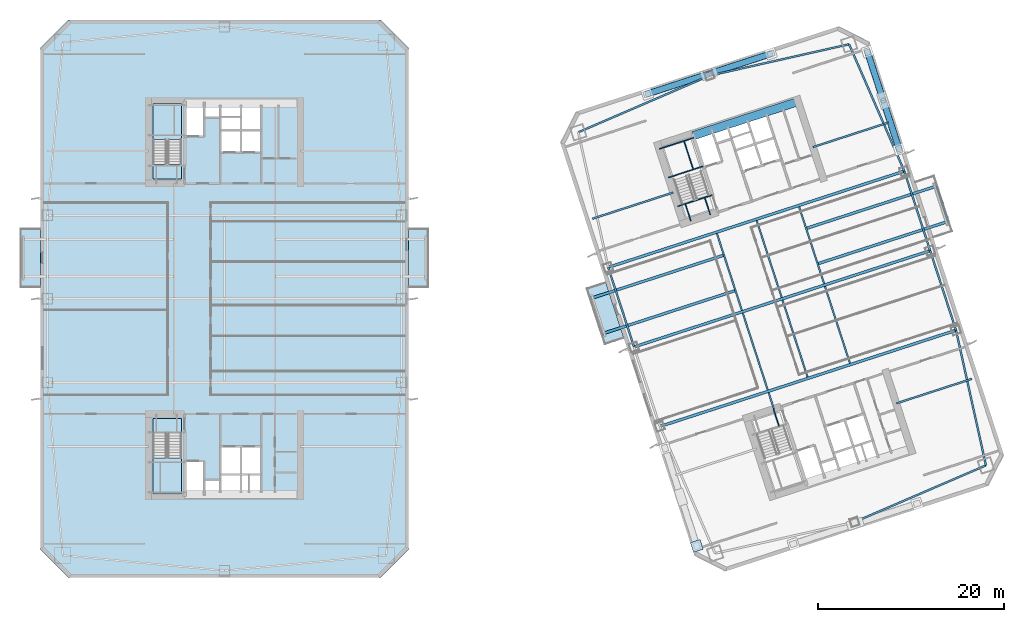
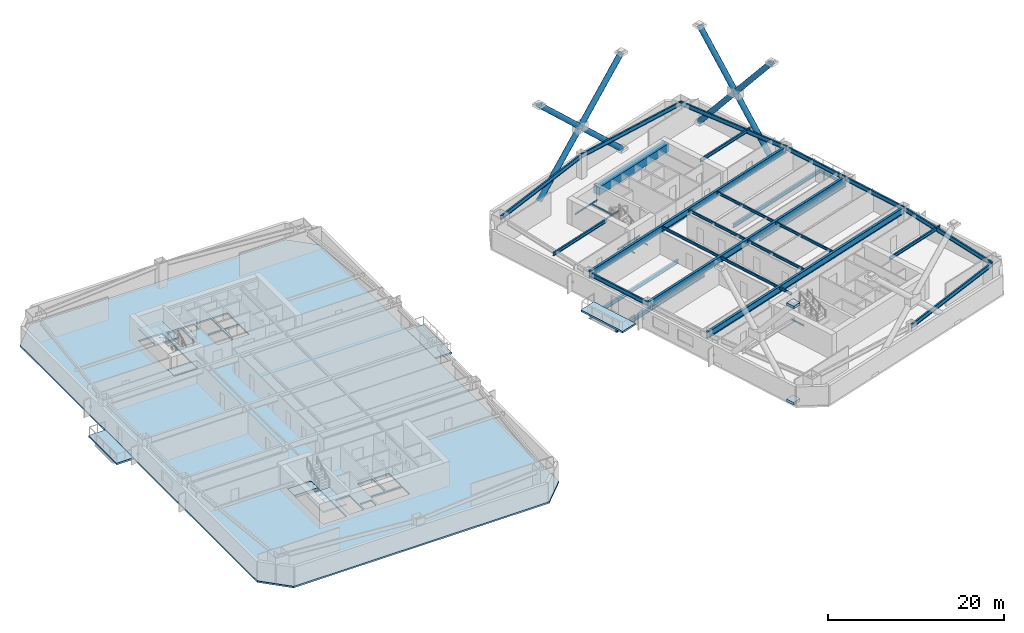
# One storey, part 4 of 19: 34 beams, 8 members, 8 slabs, 2 plates, 2 elements without a shape of their own.
"""IFC4 building model written with IfcOpenShell, lengths in metres."""

from ifc_helpers import new_model, si_unit, direction, frame, origin, origin_2d, place, context, subcontext, project, spatial, polyline, rectangle, hollow_circle, i_section, outline, extrude, material, layer, layer_set, material_profile, profile_set, type_object, element, aggregate, save


model = new_model("IFC4")

# Units and contexts
model_context = context("Model", 3, precision=1e-05, world=origin(), true_north=direction((0.0, 1.0)))
body_context = subcontext(model_context, "Body", "Model", "MODEL_VIEW")
ifc_project = project(units=[si_unit("LENGTHUNIT", "METRE"), si_unit("AREAUNIT", "SQUARE_METRE"), si_unit("VOLUMEUNIT", "CUBIC_METRE"), si_unit("PLANEANGLEUNIT", "RADIAN"), si_unit("MASSUNIT", "GRAM", prefix="KILO")], contexts=[model_context])

# Site, building, storey
site_placement = place(None, origin())
site = spatial("IfcSite", under=ifc_project, at=site_placement, CompositionType="ELEMENT")
building_placement = place(site_placement, origin())
building = spatial("IfcBuilding", under=site, at=building_placement, Name="Qiaolan Cultural Towers", CompositionType="ELEMENT")
storey_placement = place(building_placement, frame((0.0, 0.0, 78.199951171875)))
storey = spatial("IfcBuildingStorey", under=building, at=storey_placement, Name="L19", CompositionType="ELEMENT", Elevation=78.199951171875)

# Beams
ifc_material_1 = material(Name="Steel Q355B", Category="steel")
ifc_material_profile_1 = material_profile(ifc_material_1, i_section(OverallWidth=0.300048828125, OverallDepth=0.488037109375, WebThickness=0.010986328125, FlangeThickness=0.01806640625, at=origin_2d()), Name="HM488x300x11x18")
ifc_profile_set_1 = profile_set([ifc_material_profile_1], Name="Steel Q355B")
beam_type_1 = type_object("IfcBeamType", Name="BM-HM488x300x11x18", PredefinedType="BEAM", material=ifc_profile_set_1)
for number, where, z_axis, x_axis, name in (
    (1, (84.978515625, 34.891845703125, -0.52392578125), (-0.95105683587, -0.309016010822, 0.0), (0.309016010822, -0.95105683587, 0.0), "L19 T2 Tree Balcony Back-Spanned Bracket Beam"),
    (2, (83.742431640625, 38.6962890625, -0.52392578125), (-0.95105206822, -0.309030683808, 0.0), (0.309030683808, -0.95105206822, 0.0), "L19 T2 Tree Balcony Back-Spanned Bracket Beam"),
):
    element("IfcBeam", number, at=place(storey_placement, frame(where, z_axis=z_axis, x_axis=x_axis)), inside=storey, type_object=beam_type_1, Name=name, PredefinedType="BEAM", context=body_context, shape_type="SweptSolid", body=[
        extrude(i_section(OverallWidth=0.300048828125, OverallDepth=0.488037109375, WebThickness=0.010986328125, FlangeThickness=0.01806640625, at=origin_2d()), origin(), (0.0, 0.0, 1.0), 15.0498046875),
    ])
for number, where, z_axis, x_axis, name in (
    (3, (93.823486328125, 37.765869140625, -0.52392578125), (0.951059244395, 0.30900859802, 0.0), (-0.30900859802, 0.951059244395, 0.0), "L19 T2 Tree Balcony Back-Spanned Bracket Beam"),
    (4, (92.58740234375, 41.570068359375, -0.52392578125), (0.951059244395, 0.30900859802, 0.0), (-0.30900859802, 0.951059244395, 0.0), "L19 T2 Tree Balcony Back-Spanned Bracket Beam"),
):
    element("IfcBeam", number, at=place(storey_placement, frame(where, z_axis=z_axis, x_axis=x_axis)), inside=storey, type_object=beam_type_1, Name=name, PredefinedType="BEAM", context=body_context, shape_type="SweptSolid", body=[
        extrude(i_section(OverallWidth=0.300048828125, OverallDepth=0.488037109375, WebThickness=0.010986328125, FlangeThickness=0.01806640625, at=origin_2d()), origin(), (0.0, 0.0, 1.0), 14.75),
    ])
ifc_material_2 = material(Name="Steel Q355B", Category="steel")
ifc_material_profile_2 = material_profile(ifc_material_2, i_section(OverallWidth=0.300048828125, OverallDepth=0.89990234375, WebThickness=0.01611328125, FlangeThickness=0.028076171875, at=origin_2d()), Name="HN900x300x16x28")
ifc_profile_set_2 = profile_set([ifc_material_profile_2], Name="Steel Q355B")
beam_type_2 = type_object("IfcBeamType", Name="BM-HN900x300x16x28", PredefinedType="BEAM", material=ifc_profile_set_2)
for number, where, z_axis, x_axis, name in (
    (5, (76.85107421875, 20.264404296875, 2.739990234375), (0.951056559899, 0.309016860175, 0.0), (-0.309016860175, 0.951056559899, 0.0), "L19 T2 Primary Transverse Girder V1"),
    (6, (74.06982421875, 28.823974609375, 2.739990234375), (0.951056559899, 0.309016860175, 0.0), (-0.309016860175, 0.951056559899, 0.0), "L19 T2 Primary Transverse Girder V2"),
    (7, (71.28857421875, 37.383544921875, 2.739990234375), (0.951056559899, 0.309016860175, 0.0), (-0.309016860175, 0.951056559899, 0.0), "L19 T2 Primary Transverse Girder V3"),
):
    element("IfcBeam", number, at=place(storey_placement, frame(where, z_axis=z_axis, x_axis=x_axis)), inside=storey, type_object=beam_type_2, Name=name, PredefinedType="BEAM", context=body_context, shape_type="SweptSolid", body=[
        extrude(i_section(OverallWidth=0.300048828125, OverallDepth=0.89990234375, WebThickness=0.01611328125, FlangeThickness=0.028076171875, at=origin_2d()), origin(), (0.0, 0.0, 1.0), 33.5),
    ])
ifc_material_3 = material(Name="Steel Q355B", Category="steel")
ifc_material_profile_3 = material_profile(ifc_material_3, i_section(OverallWidth=0.175048828125, OverallDepth=0.35009765625, WebThickness=0.007080078125, FlangeThickness=0.010986328125, at=origin_2d()), Name="HN350x175x7x11")
ifc_profile_set_3 = profile_set([ifc_material_profile_3], Name="Steel Q355B")
beam_type_3 = type_object("IfcBeamType", Name="BM-JST-HN350x175x7x11", PredefinedType="JOIST", material=ifc_profile_set_3)
beam_1_placement = place(storey_placement, frame((107.8515625, 42.32373046875, -0.52392578125), z_axis=(-0.309022586479, 0.951054699292, 0.0), x_axis=(-0.951054699292, -0.309022586479, 0.0)))
element("IfcBeam", 8, at=beam_1_placement, inside=storey, type_object=beam_type_3, Name="L19 T2 Tree Balcony Outer Edge Beam", PredefinedType="JOIST", context=body_context, shape_type="SweptSolid", body=[
    extrude(i_section(OverallWidth=0.175048828125, OverallDepth=0.35009765625, WebThickness=0.007080078125, FlangeThickness=0.010986328125, at=origin_2d()), origin(), (0.0, 0.0, 1.0), 4.0),
])
beam_2_placement = place(storey_placement, frame((89.119384765625, 22.147705078125, 3.01513671875), z_axis=(-0.308933885266, 0.951083516067, 0.0), x_axis=(-0.951083516067, -0.308933885266, 0.0)))
element("IfcBeam", 9, at=beam_2_placement, inside=storey, type_object=beam_type_3, Name="L19 T2 Secondary Floor Joist U1-1", PredefinedType="JOIST", context=body_context, shape_type="SweptSolid", body=[
    extrude(i_section(OverallWidth=0.175048828125, OverallDepth=0.35009765625, WebThickness=0.007080078125, FlangeThickness=0.010986328125, at=origin_2d()), origin(), (0.0, 0.0, 1.0), 1.85009765625),
])
for number, where, z_axis, x_axis, name in (
    (10, (88.455078125, 24.192626953125, 3.01513671875), (-0.309020714809, 0.951055307445, 0.0), (-0.951055307445, -0.309020714809, 0.0), "L19 T2 Secondary Floor Joist U1-2"),
    (11, (85.673828125, 32.752197265625, 3.01513671875), (-0.309020714809, 0.951055307445, 0.0), (-0.951055307445, -0.309020714809, 0.0), "L19 T2 Secondary Floor Joist U1-3"),
    (12, (92.73486328125, 25.583251953125, 3.01513671875), (-0.309020714809, 0.951055307445, 0.0), (-0.951055307445, -0.309020714809, 0.0), "L19 T2 Secondary Floor Joist U2-2"),
    (13, (89.95361328125, 34.142578125, 3.01513671875), (-0.309020714809, 0.951055307445, 0.0), (-0.951055307445, -0.309020714809, 0.0), "L19 T2 Secondary Floor Joist U2-3"),
    (14, (97.2998046875, 27.06640625, 3.01513671875), (-0.309020714809, 0.951055307445, 0.0), (-0.951055307445, -0.309020714809, 0.0), "L19 T2 Secondary Floor Joist U3-2"),
    (15, (94.518798828125, 35.6259765625, 3.01513671875), (-0.309020714809, 0.951055307445, 0.0), (-0.951055307445, -0.309020714809, 0.0), "L19 T2 Secondary Floor Joist U3-3"),
):
    element("IfcBeam", number, at=place(storey_placement, frame(where, z_axis=z_axis, x_axis=x_axis)), inside=storey, type_object=beam_type_3, Name=name, PredefinedType="JOIST", context=body_context, shape_type="SweptSolid", body=[
        extrude(i_section(OverallWidth=0.175048828125, OverallDepth=0.35009765625, WebThickness=0.007080078125, FlangeThickness=0.010986328125, at=origin_2d()), origin(), (0.0, 0.0, 1.0), 8.699951171875),
    ])
ifc_material_4 = material(Name="Steel Q355B", Category="steel")
ifc_material_profile_4 = material_profile(ifc_material_4, i_section(OverallWidth=0.199951171875, OverallDepth=0.449951171875, WebThickness=0.009033203125, FlangeThickness=0.013916015625, at=origin_2d()), Name="HN450x200x9x14")
ifc_profile_set_4 = profile_set([ifc_material_profile_4], Name="Steel Q355B")
beam_type_4 = type_object("IfcBeamType", Name="BM-LNT-HN450x200x9x14", PredefinedType="LINTEL", material=ifc_profile_set_4)
beam_3_placement = place(storey_placement, frame((78.291259765625, 45.44189453125, 2.965087890625), z_axis=(-0.951052106475, -0.309030566076, 0.0), x_axis=(0.309030566076, -0.951052106475, 0.0)))
element("IfcBeam", 16, at=beam_3_placement, inside=storey, type_object=beam_type_4, Name="L19 T2 Core Flank Tie Lintel WN", PredefinedType="LINTEL", context=body_context, shape_type="SweptSolid", body=[
    extrude(i_section(OverallWidth=0.199951171875, OverallDepth=0.449951171875, WebThickness=0.009033203125, FlangeThickness=0.013916015625, at=origin_2d()), origin(), (0.0, 0.0, 1.0), 9.14990234375),
])
for number, where, z_axis, x_axis, name in (
    (17, (102.279296875, 22.74365234375, 2.965087890625), (0.951057358187, 0.309014403287, 0.0), (-0.309014403287, 0.951057358187, 0.0), "L19 T2 Core Flank Tie Lintel ES"),
    (18, (93.31787109375, 50.32421875, 2.965087890625), (0.951057358187, 0.309014403287, 0.0), (-0.309014403287, 0.951057358187, 0.0), "L19 T2 Core Flank Tie Lintel EN"),
):
    element("IfcBeam", number, at=place(storey_placement, frame(where, z_axis=z_axis, x_axis=x_axis)), inside=storey, type_object=beam_type_4, Name=name, PredefinedType="LINTEL", context=body_context, shape_type="SweptSolid", body=[
        extrude(i_section(OverallWidth=0.199951171875, OverallDepth=0.449951171875, WebThickness=0.009033203125, FlangeThickness=0.013916015625, at=origin_2d()), origin(), (0.0, 0.0, 1.0), 8.550048828125),
    ])
ifc_material_5 = material(Name="Concrete C50", Category="concrete")
ifc_material_profile_5 = material_profile(ifc_material_5, rectangle(XDim=0.89990234375, YDim=1.10009765625, at=origin_2d()), Name="RC900x1100")
ifc_profile_set_5 = profile_set([ifc_material_profile_5], Name="Concrete C50")
beam_type_5 = type_object("IfcBeamType", Name="BM-RC900x1100", PredefinedType="BEAM", material=ifc_profile_set_5)
beam_4_placement = place(storey_placement, frame((80.427978515625, 51.551025390625, 2.64013671875), z_axis=(0.951056266386, 0.309017763514, 0.0), x_axis=(-0.309017763514, 0.951056266386, 0.0)))
element("IfcBeam", 19, at=beam_4_placement, inside=storey, type_object=beam_type_5, Name="L19 T2 Core Header Girder N", PredefinedType="BEAM", context=body_context, shape_type="SweptSolid", body=[
    extrude(rectangle(XDim=0.89990234375, YDim=1.10009765625, at=origin_2d()), origin(), (0.0, 0.0, 1.0), 11.880126953125),
])
ifc_material_6 = material(Name="Steel Q355B", Category="steel")
ifc_material_profile_6 = material_profile(ifc_material_6, i_section(OverallWidth=0.199951171875, OverallDepth=0.60009765625, WebThickness=0.010986328125, FlangeThickness=0.01708984375, at=origin_2d()), Name="HN600x200x11x17")
ifc_profile_set_6 = profile_set([ifc_material_profile_6], Name="Steel Q355B")
beam_type_6 = type_object("IfcBeamType", Name="BM-SPD-HN600x200x11x17", PredefinedType="SPANDREL", material=ifc_profile_set_6)
beam_5_placement = place(storey_placement, frame((97.802734375, 9.98583984375, 2.89013671875), z_axis=(0.918217549337, 0.396076422032, 0.0), x_axis=(-0.396076422032, 0.918217549337, 0.0)))
element("IfcBeam", 20, at=beam_5_placement, inside=storey, type_object=beam_type_6, Name="L19 T2 Perimeter Spandrel Beam 2", PredefinedType="SPANDREL", context=body_context, shape_type="SweptSolid", body=[
    extrude(i_section(OverallWidth=0.199951171875, OverallDepth=0.60009765625, WebThickness=0.010986328125, FlangeThickness=0.01708984375, at=origin_2d()), origin(), (0.0, 0.0, 1.0), 15.386474609375),
])
beam_6_placement = place(storey_placement, frame((111.930908203125, 16.080078125, 2.89013671875), z_axis=(-0.216237644833, 0.976340760676, 0.0), x_axis=(-0.976340760676, -0.216237644833, 0.0)))
element("IfcBeam", 21, at=beam_6_placement, inside=storey, type_object=beam_type_6, Name="L19 T2 Perimeter Spandrel Beam 3", PredefinedType="SPANDREL", context=body_context, shape_type="SweptSolid", body=[
    extrude(i_section(OverallWidth=0.199951171875, OverallDepth=0.60009765625, WebThickness=0.010986328125, FlangeThickness=0.01708984375, at=origin_2d()), origin(), (0.0, 0.0, 1.0), 14.888671875),
])
for number, where, z_axis, x_axis, name in (
    (22, (108.71142578125, 30.616455078125, 2.89013671875), (-0.309024734286, 0.951054001411, 0.0), (-0.951054001411, -0.309024734286, 0.0), "L19 T2 Perimeter Spandrel Beam 4"),
    (23, (105.93017578125, 39.176025390625, 2.89013671875), (-0.309024734286, 0.951054001411, 0.0), (-0.951054001411, -0.309024734286, 0.0), "L19 T2 Perimeter Spandrel Beam 5"),
):
    element("IfcBeam", number, at=place(storey_placement, frame(where, z_axis=z_axis, x_axis=x_axis)), inside=storey, type_object=beam_type_6, Name=name, PredefinedType="SPANDREL", context=body_context, shape_type="SweptSolid", body=[
        extrude(i_section(OverallWidth=0.199951171875, OverallDepth=0.60009765625, WebThickness=0.010986328125, FlangeThickness=0.01708984375, at=origin_2d()), origin(), (0.0, 0.0, 1.0), 9.0),
    ])
beam_7_placement = place(storey_placement, frame((103.14892578125, 47.735595703125, 2.89013671875), z_axis=(-0.398920370799, 0.916985571185, 0.0), x_axis=(-0.916985571185, -0.398920370799, 0.0)))
element("IfcBeam", 24, at=beam_7_placement, inside=storey, type_object=beam_type_6, Name="L19 T2 Perimeter Spandrel Beam 6", PredefinedType="SPANDREL", context=body_context, shape_type="SweptSolid", body=[
    extrude(i_section(OverallWidth=0.199951171875, OverallDepth=0.60009765625, WebThickness=0.010986328125, FlangeThickness=0.01708984375, at=origin_2d()), origin(), (0.0, 0.0, 1.0), 14.888916015625),
])
beam_8_placement = place(storey_placement, frame((97.20947265625, 61.388427734375, 2.89013671875), z_axis=(-0.975658154374, -0.219296980836, 0.0), x_axis=(0.219296980836, -0.975658154374, 0.0)))
element("IfcBeam", 25, at=beam_8_placement, inside=storey, type_object=beam_type_6, Name="L19 T2 Perimeter Spandrel Beam 7", PredefinedType="SPANDREL", context=body_context, shape_type="SweptSolid", body=[
    extrude(i_section(OverallWidth=0.199951171875, OverallDepth=0.60009765625, WebThickness=0.010986328125, FlangeThickness=0.01708984375, at=origin_2d()), origin(), (0.0, 0.0, 1.0), 15.38671875),
])
beam_9_placement = place(storey_placement, frame((82.197265625, 58.01416015625, 2.89013671875), z_axis=(-0.918217549337, -0.396076422032, 0.0), x_axis=(0.396076422032, -0.918217549337, 0.0)))
element("IfcBeam", 26, at=beam_9_placement, inside=storey, type_object=beam_type_6, Name="L19 T2 Perimeter Spandrel Beam 8", PredefinedType="SPANDREL", context=body_context, shape_type="SweptSolid", body=[
    extrude(i_section(OverallWidth=0.199951171875, OverallDepth=0.60009765625, WebThickness=0.010986328125, FlangeThickness=0.01708984375, at=origin_2d()), origin(), (0.0, 0.0, 1.0), 15.386474609375),
])
beam_10_placement = place(storey_placement, frame((71.28857421875, 37.383544921875, 2.89013671875), z_axis=(0.309024734286, -0.951054001411, 0.0), x_axis=(0.951054001411, 0.309024734286, 0.0)))
element("IfcBeam", 27, at=beam_10_placement, inside=storey, type_object=beam_type_6, Name="L19 T2 Perimeter Spandrel Beam 10", PredefinedType="SPANDREL", context=body_context, shape_type="SweptSolid", body=[
    extrude(i_section(OverallWidth=0.199951171875, OverallDepth=0.60009765625, WebThickness=0.010986328125, FlangeThickness=0.01708984375, at=origin_2d()), origin(), (0.0, 0.0, 1.0), 9.0),
])
ifc_material_7 = material(Name="Steel Q355B", Category="steel")
ifc_material_profile_7 = material_profile(ifc_material_7, i_section(OverallWidth=0.10009765625, OverallDepth=0.199951171875, WebThickness=0.005615234375, FlangeThickness=0.008056640625, at=origin_2d()), Name="HN200x100x5.5x8")
ifc_profile_set_7 = profile_set([ifc_material_profile_7], Name="Steel Q355B")
beam_type_7 = type_object("IfcBeamType", Name="BM-STTRIM-200", PredefinedType="BEAM", material=ifc_profile_set_7)
beam_11_placement = place(storey_placement, frame((89.07177734375, 22.13232421875, -0.4599609375), z_axis=(0.309083226701, -0.951034993558, 0.0), x_axis=(0.951034993558, 0.309083226701, 0.0)))
element("IfcBeam", 28, at=beam_11_placement, inside=storey, type_object=beam_type_7, Name="L19 ST-E1 Floor Landing Stringer 2", PredefinedType="BEAM", context=body_context, shape_type="SweptSolid", body=[
    extrude(i_section(OverallWidth=0.10009765625, OverallDepth=0.199951171875, WebThickness=0.005615234375, FlangeThickness=0.008056640625, at=origin_2d()), origin(), (0.0, 0.0, 1.0), 1.93994140625),
])
beam_12_placement = place(storey_placement, frame((78.773193359375, 43.958251953125, -0.4599609375), z_axis=(0.951072048947, 0.3089691857, 0.0), x_axis=(-0.3089691857, 0.951072048947, 0.0)))
element("IfcBeam", 29, at=beam_12_placement, inside=storey, type_object=beam_type_7, Name="L19 ST-E2 Floor Landing Header Beam", PredefinedType="BEAM", context=body_context, shape_type="SweptSolid", body=[
    extrude(i_section(OverallWidth=0.10009765625, OverallDepth=0.199951171875, WebThickness=0.005615234375, FlangeThickness=0.008056640625, at=origin_2d()), origin(), (0.0, 0.0, 1.0), 3.920166015625),
])
for number, where, z_axis, x_axis, name in (
    (30, (80.18115234375, 42.375732421875, -0.4599609375), (-0.308969394428, 0.951071981138, 0.0), (-0.951071981138, -0.308969394428, 0.0), "L19 ST-E2 Floor Landing Stringer 1"),
    (31, (82.2734375, 43.0556640625, -0.4599609375), (-0.308969394428, 0.951071981138, 0.0), (-0.951071981138, -0.308969394428, 0.0), "L19 ST-E2 Floor Landing Stringer 2"),
):
    element("IfcBeam", number, at=place(storey_placement, frame(where, z_axis=z_axis, x_axis=x_axis)), inside=storey, type_object=beam_type_7, Name=name, PredefinedType="BEAM", context=body_context, shape_type="SweptSolid", body=[
        extrude(i_section(OverallWidth=0.10009765625, OverallDepth=0.199951171875, WebThickness=0.005615234375, FlangeThickness=0.008056640625, at=origin_2d()), origin(), (0.0, 0.0, 1.0), 1.93994140625),
    ])
for number, where, z_axis, x_axis, name in (
    (32, (77.769287109375, 47.0478515625, 1.425048828125), (0.951053746643, 0.309025518358, 0.0), (-0.309025518358, 0.951053746643, 0.0), "L19 ST-E2 Stair Landing Support Beam 1-1"),
    (33, (76.770751953125, 50.12109375, 1.425048828125), (0.951072048947, 0.3089691857, 0.0), (-0.3089691857, 0.951072048947, 0.0), "L19 ST-E2 Stair Landing Support Beam 1-2"),
):
    element("IfcBeam", number, at=place(storey_placement, frame(where, z_axis=z_axis, x_axis=x_axis)), inside=storey, type_object=beam_type_7, Name=name, PredefinedType="BEAM", context=body_context, shape_type="SweptSolid", body=[
        extrude(i_section(OverallWidth=0.10009765625, OverallDepth=0.199951171875, WebThickness=0.005615234375, FlangeThickness=0.008056640625, at=origin_2d()), origin(), (0.0, 0.0, 1.0), 3.920166015625),
    ])
beam_13_placement = place(storey_placement, frame((80.44189453125, 47.916259765625, 1.425048828125), z_axis=(-0.309033108495, 0.951051280349, 0.0), x_axis=(-0.951051280349, -0.309033108495, 0.0)))
element("IfcBeam", 34, at=beam_13_placement, inside=storey, type_object=beam_type_7, Name="L19 ST-E2 Stair Landing Trimmer 1", PredefinedType="BEAM", context=body_context, shape_type="SweptSolid", body=[
    extrude(i_section(OverallWidth=0.10009765625, OverallDepth=0.199951171875, WebThickness=0.005615234375, FlangeThickness=0.008056640625, at=origin_2d()), origin(), (0.0, 0.0, 1.0), 3.231201171875),
])

# Members
ifc_material_8 = material(Name="Steel Q355B", Category="steel")
ifc_material_profile_8 = material_profile(ifc_material_8, hollow_circle(Radius=0.35009765625, WallThickness=0.034912109375, at=origin_2d()), Name="CHS700x35")
ifc_profile_set_8 = profile_set([ifc_material_profile_8], Name="Steel Q355B")
member_type = type_object("IfcMemberType", Name="MBR-BRC-CHS700x35", PredefinedType="BRACE", material=ifc_profile_set_8)
member_1_placement = place(storey_placement, frame((102.59765625, 50.079833984375, 0.150146484375), z_axis=(-0.197035391385, 0.606433966651, 0.770334277203), x_axis=(-0.951059719012, -0.309007137251, 0.0)))
element("IfcMember", 35, at=member_1_placement, inside=storey, type_object=member_type, Name="T2 EAST Perimeter Frame Diagonal E-Z2-M1-D1A", PredefinedType="BRACE", context=body_context, shape_type="SweptSolid", body=[
    extrude(hollow_circle(Radius=0.35009765625, WallThickness=0.034912109375, at=origin_2d()), origin(), (0.0, 0.0, 1.0), 8.664794921875),
])
member_2_placement = place(storey_placement, frame((100.890380859375, 55.33447265625, 6.824951171875), z_axis=(-0.197058196236, 0.60641743746, 0.770341456005), x_axis=(-0.951046732174, -0.309047105182, 0.0)))
element("IfcMember", 36, at=member_2_placement, inside=storey, type_object=member_type, Name="T2 EAST Perimeter Frame Diagonal E-Z2-M1-D1B", PredefinedType="BRACE", context=body_context, shape_type="SweptSolid", body=[
    extrude(hollow_circle(Radius=0.35009765625, WallThickness=0.034912109375, at=origin_2d()), origin(), (0.0, 0.0, 1.0), 8.6650390625),
])
member_3_placement = place(storey_placement, frame((99.182861328125, 60.589111328125, 0.150146484375), z_axis=(0.19706247337, -0.606430599707, 0.770330000278), x_axis=(0.951046732174, 0.309047105182, 0.0)))
element("IfcMember", 37, at=member_3_placement, inside=storey, type_object=member_type, Name="T2 EAST Perimeter Frame Diagonal E-Z2-M1-D2A", PredefinedType="BRACE", context=body_context, shape_type="SweptSolid", body=[
    extrude(hollow_circle(Radius=0.35009765625, WallThickness=0.034912109375, at=origin_2d()), origin(), (0.0, 0.0, 1.0), 8.664794921875),
])
member_4_placement = place(storey_placement, frame((100.890380859375, 55.33447265625, 6.824951171875), z_axis=(0.197031114792, -0.606420804185, 0.770345732808), x_axis=(0.951059719012, 0.309007137251, 0.0)))
element("IfcMember", 38, at=member_4_placement, inside=storey, type_object=member_type, Name="T2 EAST Perimeter Frame Diagonal E-Z2-M1-D2B", PredefinedType="BRACE", context=body_context, shape_type="SweptSolid", body=[
    extrude(hollow_circle(Radius=0.35009765625, WallThickness=0.034912109375, at=origin_2d()), origin(), (0.0, 0.0, 1.0), 8.6650390625),
])
member_5_placement = place(storey_placement, frame((75.47802734375, 56.041259765625, 0.150146484375), z_axis=(0.688300959012, 0.223636601887, 0.690093080765), x_axis=(-0.309009574742, 0.951058927048, 0.0)))
element("IfcMember", 39, at=member_5_placement, inside=storey, type_object=member_type, Name="T2 NORTH Perimeter Frame Diagonal E-Z2-M1-D1A", PredefinedType="BRACE", context=body_context, shape_type="SweptSolid", body=[
    extrude(hollow_circle(Radius=0.35009765625, WallThickness=0.034912109375, at=origin_2d()), origin(), (0.0, 0.0, 1.0), 9.67236328125),
])
member_6_placement = place(storey_placement, frame((82.135498046875, 58.204345703125, 6.824951171875), z_axis=(0.688288969768, 0.223632706448, 0.690106301016), x_axis=(-0.309009574742, 0.951058927048, 0.0)))
element("IfcMember", 40, at=member_6_placement, inside=storey, type_object=member_type, Name="T2 NORTH Perimeter Frame Diagonal E-Z2-M1-D1B", PredefinedType="BRACE", context=body_context, shape_type="SweptSolid", body=[
    extrude(hollow_circle(Radius=0.35009765625, WallThickness=0.034912109375, at=origin_2d()), origin(), (0.0, 0.0, 1.0), 9.672607421875),
])
member_7_placement = place(storey_placement, frame((88.79296875, 60.367431640625, 0.150146484375), z_axis=(-0.688300959012, -0.223636601887, 0.690093080765), x_axis=(0.309009574742, -0.951058927048, 0.0)))
element("IfcMember", 41, at=member_7_placement, inside=storey, type_object=member_type, Name="T2 NORTH Perimeter Frame Diagonal E-Z2-M1-D2A", PredefinedType="BRACE", context=body_context, shape_type="SweptSolid", body=[
    extrude(hollow_circle(Radius=0.35009765625, WallThickness=0.034912109375, at=origin_2d()), origin(), (0.0, 0.0, 1.0), 9.67236328125),
])
member_8_placement = place(storey_placement, frame((82.135498046875, 58.204345703125, 6.824951171875), z_axis=(-0.688288969768, -0.223632706448, 0.690106301016), x_axis=(0.309009574742, -0.951058927048, 0.0)))
element("IfcMember", 42, at=member_8_placement, inside=storey, type_object=member_type, Name="T2 NORTH Perimeter Frame Diagonal E-Z2-M1-D2B", PredefinedType="BRACE", context=body_context, shape_type="SweptSolid", body=[
    extrude(hollow_circle(Radius=0.35009765625, WallThickness=0.034912109375, at=origin_2d()), origin(), (0.0, 0.0, 1.0), 9.672607421875),
])

# Plates
ifc_material_9 = material(Name="Steel Q355B", Category="steel")
ifc_layer_1 = layer(ifc_material_9, 0.030029296875)
ifc_layer_set_1 = layer_set([ifc_layer_1], Name="Steel Q355B")
plate_type = type_object("IfcPlateType", Name="PL-ENDCAP-30", PredefinedType="USERDEFINED", material=ifc_layer_set_1)
for number, where, z_axis, x_axis, name in (
    (43, (80.817138671875, 7.410888671875, -0.02490234375), (0.0, 0.0, 1.0), (-0.309016994375, 0.951056516295, 0.0), "Hollow Brace End Seal Cap Plate CP-01"),
    (44, (80.817138671875, 7.410888671875, 13.324951171875), (0.0, 0.0, 1.0), (-0.309016994375, 0.951056516295, 0.0), "Hollow Brace End Seal Cap Plate CP-01"),
):
    element("IfcPlate", number, at=place(storey_placement, frame(where, z_axis=z_axis, x_axis=x_axis)), inside=storey, type_object=plate_type, Name=name, ObjectType="BASE_PLATE", PredefinedType="USERDEFINED", context=body_context, shape_type="SweptSolid", body=[
        extrude(rectangle(XDim=1.10009765625, YDim=1.10009765625, at=origin_2d()), origin(), (0.0, 0.0, 1.0), 0.35009765625),
    ])

# Slabs
ifc_material_10 = material(Name="Concrete C45", Category="concrete")
ifc_layer_2 = layer(ifc_material_10, 0.239990234375)
ifc_layer_set_2 = layer_set([ifc_layer_2], Name="Concrete C45")
slab_type_1 = type_object("IfcSlabType", Name="SL-BAL-240", PredefinedType="FLOOR", material=ifc_layer_set_2)
slab_1_placement = place(storey_placement, frame((0.0, 0.0, -0.239990234375)))
element("IfcSlab", 45, at=slab_1_placement, inside=storey, type_object=slab_type_1, Name="L19 T1 Planted Tree Balcony W", PredefinedType="FLOOR", context=body_context, shape_type="SweptSolid", body=[
    extrude(outline(polyline([(8.0, 35.199951171875), (10.199951171875, 35.199951171875), (10.199951171875, 41.60009765625), (8.0, 41.60009765625), (8.0, 35.199951171875)])), origin(), (0.0, 0.0, 1.0), 0.239990234375),
])
slab_2_placement = place(storey_placement, frame((0.0, 0.0, -0.239990234375)))
element("IfcSlab", 46, at=slab_2_placement, inside=storey, type_object=slab_type_1, Name="L19 T1 Planted Tree Balcony E", PredefinedType="FLOOR", context=body_context, shape_type="SweptSolid", body=[
    extrude(outline(polyline([(49.800048828125, 35.199951171875), (52.0, 35.199951171875), (52.0, 41.60009765625), (49.800048828125, 41.60009765625), (49.800048828125, 35.199951171875)])), origin(), (0.0, 0.0, 1.0), 0.239990234375),
])
slab_3_placement = place(storey_placement, frame((0.0, 0.0, -0.239990234375)))
element("IfcSlab", 47, at=slab_3_placement, inside=storey, type_object=slab_type_1, Name="L19 T2 Planted Tree Balcony W", PredefinedType="FLOOR", context=body_context, shape_type="SweptSolid", body=[
    extrude(outline(polyline([(70.893310546875, 29.0537109375), (72.985595703125, 29.7333984375), (71.008056640625, 35.8203125), (68.915771484375, 35.140380859375), (70.893310546875, 29.0537109375)])), origin(), (0.0, 0.0, 1.0), 0.239990234375),
])

# Stair, slab
ifc_material_11 = material(Name="Concrete C45", Category="concrete")
stair_type = type_object("IfcStairType", Name="STR-CORE-1500", PredefinedType="HALF_TURN_STAIR", material=ifc_material_11)
stair_1_placement = place(storey_placement, origin())
stair_1 = element("IfcStair", 48, at=stair_1_placement, inside=storey, type_object=stair_type, Name="L19 Smokeproof Exit Stair ST-W1", PredefinedType="HALF_TURN_STAIR")
ifc_material_12 = material(Name="Concrete C45", Category="concrete")
ifc_layer_3 = layer(ifc_material_12, 0.199951171875)
ifc_layer_set_3 = layer_set([ifc_layer_3], Name="Concrete C45")
slab_type_2 = type_object("IfcSlabType", Name="SL-STAIR-LAND", PredefinedType="LANDING", material=ifc_layer_set_3)
slab_4_placement = place(storey_placement, frame((0.0, 0.0, 1.525146484375)))
slab_4 = element("IfcSlab", 49, at=slab_4_placement, type_object=slab_type_2, Name="ST-W1 landing 1", PredefinedType="LANDING", context=body_context, shape_type="SweptSolid", body=[
    extrude(outline(polyline([(22.300048828125, 16.851318359375), (22.300048828125, 13.0), (25.3798828125, 13.0), (25.3798828125, 16.851318359375), (22.300048828125, 16.851318359375)])), origin(), (0.0, 0.0, 1.0), 0.199951171875),
])
aggregate(stair_1, [slab_4])

stair_2_placement = place(storey_placement, origin())
stair_2 = element("IfcStair", 50, at=stair_2_placement, inside=storey, type_object=stair_type, Name="L19 Smokeproof Exit Stair ST-W2", PredefinedType="HALF_TURN_STAIR")
slab_5_placement = place(storey_placement, frame((0.0, 0.0, 1.525146484375)))
slab_5 = element("IfcSlab", 51, at=slab_5_placement, type_object=slab_type_2, Name="ST-W2 landing 1", PredefinedType="LANDING", context=body_context, shape_type="SweptSolid", body=[
    extrude(outline(polyline([(25.3798828125, 51.148681640625), (25.3798828125, 55.0), (22.300048828125, 55.0), (22.300048828125, 51.148681640625), (25.3798828125, 51.148681640625)])), origin(), (0.0, 0.0, 1.0), 0.199951171875),
])
aggregate(stair_2, [slab_5])

# Slabs
ifc_material_13 = material(Name="Concrete C40", Category="concrete")
ifc_layer_4 = layer(ifc_material_13, 0.360107421875)
ifc_layer_set_4 = layer_set([ifc_layer_4], Name="Concrete C40")
slab_type_3 = type_object("IfcSlabType", Name="SL-STFLR-360", PredefinedType="LANDING", material=ifc_layer_set_4)
slab_6_placement = place(storey_placement, frame((0.0, 0.0, -0.35986328125)))
element("IfcSlab", 52, at=slab_6_placement, inside=storey, type_object=slab_type_3, Name="L19 ST-W1 Stair Floor Landing Slab", PredefinedType="LANDING", context=body_context, shape_type="SweptSolid", body=[
    extrude(outline(polyline([(22.302001953125, 21.097900390625), (22.302001953125, 19.548583984375), (25.3779296875, 19.548583984375), (25.3779296875, 21.097900390625), (22.302001953125, 21.097900390625)])), origin(), (0.0, 0.0, 1.0), 0.35986328125),
])
slab_7_placement = place(storey_placement, frame((0.0, 0.0, -0.35986328125)))
element("IfcSlab", 53, at=slab_7_placement, inside=storey, type_object=slab_type_3, Name="L19 ST-W2 Stair Floor Landing Slab", PredefinedType="LANDING", context=body_context, shape_type="SweptSolid", body=[
    extrude(outline(polyline([(25.3779296875, 46.902099609375), (25.3779296875, 48.451416015625), (22.302001953125, 48.451416015625), (22.302001953125, 46.902099609375), (25.3779296875, 46.902099609375)])), origin(), (0.0, 0.0, 1.0), 0.35986328125),
])
ifc_material_14 = material(Name="Concrete C45", Category="concrete")
ifc_layer_5 = layer(ifc_material_14, 0.219970703125)
ifc_layer_set_5 = layer_set([ifc_layer_5], Name="Concrete C45")
slab_type_4 = type_object("IfcSlabType", Name="SL-TYP-220", PredefinedType="FLOOR", material=ifc_layer_set_5)
slab_8_placement = place(storey_placement, frame((0.0, 0.0, -0.219970703125)))
element("IfcSlab", 54, at=slab_8_placement, inside=storey, type_object=slab_type_4, Name="L19 West Tower Floor Slab", PredefinedType="FLOOR", context=body_context, shape_type="SweptSolid", body=[
    extrude(outline(polyline([(13.199951171875, 4.0), (46.800048828125, 4.0), (49.800048828125, 7.0), (49.800048828125, 61.0), (46.800048828125, 64.0), (13.199951171875, 64.0), (10.199951171875, 61.0), (10.199951171875, 7.0), (13.199951171875, 4.0)]), holes=[polyline([(22.300048828125, 21.10009765625), (22.300048828125, 13.0), (25.3798828125, 13.0), (25.3798828125, 21.10009765625), (22.300048828125, 21.10009765625)]), polyline([(25.3798828125, 46.89990234375), (25.3798828125, 55.0), (22.300048828125, 55.0), (22.300048828125, 46.89990234375), (25.3798828125, 46.89990234375)]), polyline([(25.89990234375, 13.199951171875), (27.75, 13.199951171875), (27.75, 16.449951171875), (25.89990234375, 16.449951171875), (25.89990234375, 13.199951171875)]), polyline([(27.93994140625, 13.25), (29.449951171875, 13.25), (29.449951171875, 14.419921875), (27.93994140625, 14.419921875), (27.93994140625, 13.25)]), polyline([(29.679931640625, 15.199951171875), (31.679931640625, 15.199951171875), (31.679931640625, 18.0), (29.679931640625, 18.0), (29.679931640625, 15.199951171875)]), polyline([(31.8798828125, 15.199951171875), (33.820068359375, 15.199951171875), (33.820068359375, 18.0), (31.8798828125, 18.0), (31.8798828125, 15.199951171875)]), polyline([(29.679931640625, 13.25), (33.820068359375, 13.25), (33.820068359375, 14.97998046875), (29.679931640625, 14.97998046875), (29.679931640625, 13.25)]), polyline([(25.89990234375, 51.550048828125), (27.75, 51.550048828125), (27.75, 54.800048828125), (25.89990234375, 54.800048828125), (25.89990234375, 51.550048828125)]), polyline([(27.93994140625, 53.580078125), (29.449951171875, 53.580078125), (29.449951171875, 54.75), (27.93994140625, 54.75), (27.93994140625, 53.580078125)]), polyline([(29.679931640625, 49.820068359375), (31.679931640625, 49.820068359375), (31.679931640625, 52.080078125), (29.679931640625, 52.080078125), (29.679931640625, 49.820068359375)]), polyline([(31.8798828125, 49.820068359375), (33.820068359375, 49.820068359375), (33.820068359375, 52.080078125), (31.8798828125, 52.080078125), (31.8798828125, 49.820068359375)]), polyline([(29.679931640625, 52.27001953125), (31.659912109375, 52.27001953125), (31.659912109375, 54.75), (29.679931640625, 54.75), (29.679931640625, 52.27001953125)]), polyline([(31.8798828125, 52.27001953125), (33.820068359375, 52.27001953125), (33.820068359375, 54.75), (31.8798828125, 54.75), (31.8798828125, 52.27001953125)])]), origin(), (0.0, 0.0, 1.0), 0.219970703125),
])

save(model, "model.ifc")
